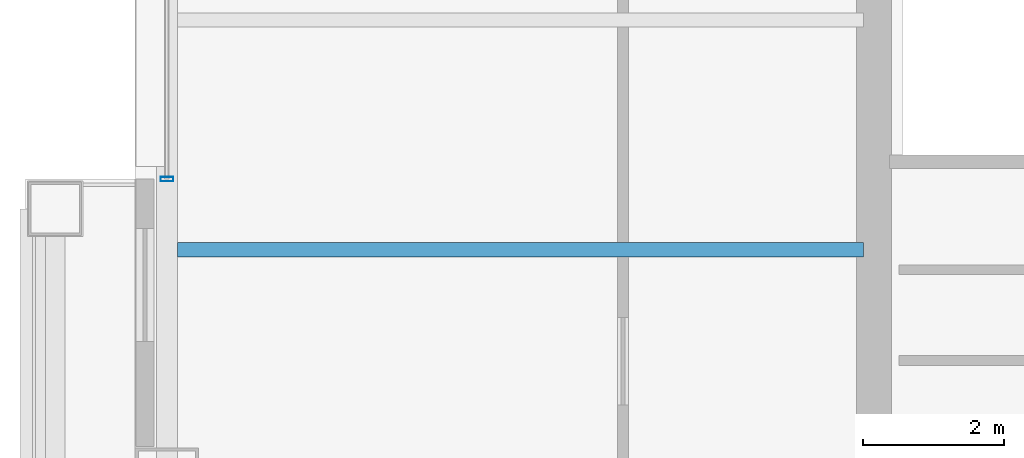
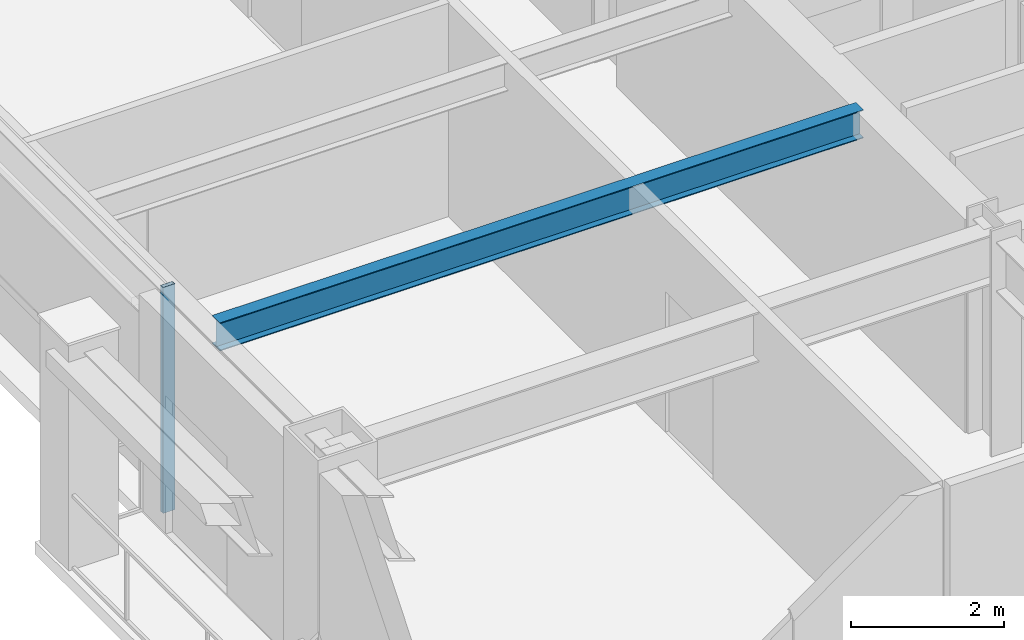
# One storey, part 7 of 30: 1 beam, 1 member, 1 element without a shape of its own.
"""IFC4 building model written with IfcOpenShell, lengths in metres."""

import ifcopenshell
import ifcopenshell.guid

model = None  # the IFC model being written
_history = None  # IfcOwnerHistory: only IFC2X3 demands one
_inside = {}  # id of a spatial element -> (the spatial element, [elements in it])
_under = {}  # id of a project, library or spatial element -> (it, [spatial elements below it])
_declared = {}  # id of a project -> (the project, [libraries it declares])
_typed = {}  # id of a type object -> (the type object, [elements of that type])
_made_of = {}  # id of a material, layer set ... -> (it, [elements and type objects made of it])


def new_model(schema):
    """Start an empty IFC model of exactly this schema.

    Asked for "IFC4X3", IfcOpenShell would pick the latest addendum, in which some entities
    have other attributes; the version numbers below select the first issue.
    IFC2X3 requires an IfcOwnerHistory on every rooted entity: one is made here for all.
    """
    global model, _history
    if schema == "IFC4X3":
        model = ifcopenshell.file(schema_version=(4, 3, 0, 0))
    else:
        model = ifcopenshell.file(schema=schema)
    _inside.clear()
    _under.clear()
    _declared.clear()
    _typed.clear()
    _made_of.clear()
    _history = None
    if model.schema == "IFC2X3":
        org = make("IfcOrganization", Name="unknown")
        user = make(
            "IfcPersonAndOrganization",
            ThePerson=make("IfcPerson", FamilyName="unknown"),
            TheOrganization=org,
        )
        app = make(
            "IfcApplication",
            ApplicationDeveloper=org,
            Version="unknown",
            ApplicationFullName="unknown",
            ApplicationIdentifier="unknown",
        )
        _history = make(
            "IfcOwnerHistory",
            OwningUser=user,
            OwningApplication=app,
            ChangeAction="ADDED",
            CreationDate=0,
        )
    return model


def make(cls, **values):
    """One entity of the class cls with the attributes given. An attribute that is None is left unset."""
    return model.create_entity(
        cls, **{name: value for name, value in values.items() if value is not None}
    )


def rooted(cls, **values):
    """An entity with a GlobalId (a new one), such as an element, a storey or a relation."""
    return make(cls, GlobalId=ifcopenshell.guid.new(), OwnerHistory=_history, **values)


def si_unit(unit_type, name, prefix=None):
    """IfcSIUnit, for example si_unit("LENGTHUNIT", "METRE", prefix="MILLI")."""
    return make("IfcSIUnit", UnitType=unit_type, Prefix=prefix, Name=name)


def assignment(units):
    """IfcUnitAssignment: the units of a project."""
    return None if units is None else make("IfcUnitAssignment", Units=units)


def point(xyz):
    """IfcCartesianPoint."""
    return None if xyz is None else make("IfcCartesianPoint", Coordinates=xyz)


def direction(xyz):
    """IfcDirection."""
    return None if xyz is None else make("IfcDirection", DirectionRatios=xyz)


def frame(location, z_axis=None, x_axis=None):
    """IfcAxis2Placement3D, a coordinate frame: its origin and axes. An axis left out is left unset."""
    return make(
        "IfcAxis2Placement3D",
        Location=point(location),
        Axis=direction(z_axis),
        RefDirection=direction(x_axis),
    )


def frame_2d(location, x_axis=None):
    """IfcAxis2Placement2D, a coordinate frame in the plane: its origin and x axis."""
    return make(
        "IfcAxis2Placement2D", Location=point(location), RefDirection=direction(x_axis)
    )


def origin():
    """The frame at (0, 0, 0) with its axes left unset."""
    return frame((0.0, 0.0, 0.0))


def origin_2d():
    """The frame at (0, 0) in the plane with its x axis left unset."""
    return frame_2d((0.0, 0.0))


def place(relative_to, where):
    """IfcLocalPlacement: puts the frame where relative to a parent placement (None: the world)."""
    return make(
        "IfcLocalPlacement", PlacementRelTo=relative_to, RelativePlacement=where
    )


def context(
    kind, dimensions, precision=None, world=None, true_north=None, identifier=None
):
    """IfcGeometricRepresentationContext, for example the 3D "Model" context."""
    return make(
        "IfcGeometricRepresentationContext",
        ContextIdentifier=identifier,
        ContextType=kind,
        CoordinateSpaceDimension=dimensions,
        Precision=precision,
        WorldCoordinateSystem=world,
        TrueNorth=true_north,
    )


def subcontext(parent, identifier, kind, view, scale=None):
    """IfcGeometricRepresentationSubContext, for example "Body" below "Model"."""
    return make(
        "IfcGeometricRepresentationSubContext",
        ContextIdentifier=identifier,
        ContextType=kind,
        ParentContext=parent,
        TargetScale=scale,
        TargetView=view,
    )


def project(units=None, contexts=None):
    """IfcProject with its units and contexts."""
    return rooted(
        "IfcProject",
        Name="project",
        RepresentationContexts=contexts,
        UnitsInContext=assignment(units),
    )


def spatial(cls, under=None, at=None, **own):
    """A site, building, storey or space (cls), placed at a placement, below another one or the project."""
    s = rooted(cls, ObjectPlacement=at, **own)
    if under is not None:
        _under.setdefault(under.id(), (under, []))[1].append(s)
    return s


def profile(cls, at=None, kind="AREA", **sizes):
    """A parametric profile (cls). Its sizes go by their IFC names, for example OverallWidth=200.0."""
    return make(cls, ProfileType=kind, Position=at, **sizes)


def hollow_rectangle(**sizes):
    """IfcRectangleHollowProfileDef."""
    return profile("IfcRectangleHollowProfileDef", **sizes)


def i_section(**sizes):
    """IfcIShapeProfileDef."""
    return profile("IfcIShapeProfileDef", **sizes)


def extrude(swept, where, along, depth):
    """IfcExtrudedAreaSolid: the profile swept, set in the frame where, extruded along a direction by depth."""
    return make(
        "IfcExtrudedAreaSolid",
        SweptArea=swept,
        Position=where,
        ExtrudedDirection=direction(along),
        Depth=depth,
    )


def shape(context_of_items, identifier, shape_type, items):
    """IfcShapeRepresentation: the items that make up one representation, for example the "Body"."""
    return make(
        "IfcShapeRepresentation",
        ContextOfItems=context_of_items,
        RepresentationIdentifier=identifier,
        RepresentationType=shape_type,
        Items=items,
    )


def material(Name=None, Category=None):
    """IfcMaterial."""
    return make("IfcMaterial", Name=Name, Category=Category)


def layer(
    of_material, thickness, ventilated=None, Name=None, Category=None, Priority=None
):
    """IfcMaterialLayer: one layer of a wall or slab, of a material (None: an air gap)."""
    return make(
        "IfcMaterialLayer",
        Material=of_material,
        LayerThickness=thickness,
        IsVentilated=ventilated,
        Name=Name,
        Category=Category,
        Priority=Priority,
    )


def layer_set(layers, Name=None):
    """IfcMaterialLayerSet."""
    return make("IfcMaterialLayerSet", MaterialLayers=layers, LayerSetName=Name)


def material_profile(
    of_material, cross_section, Name=None, Category=None, Priority=None
):
    """IfcMaterialProfile: a cross section and its material."""
    return make(
        "IfcMaterialProfile",
        Name=Name,
        Material=of_material,
        Profile=cross_section,
        Priority=Priority,
        Category=Category,
    )


def profile_set(profiles, Name=None, composite=None):
    """IfcMaterialProfileSet."""
    return make(
        "IfcMaterialProfileSet",
        Name=Name,
        MaterialProfiles=profiles,
        CompositeProfile=composite,
    )


def made_of(thing, what):
    """Note that an element or type object is made of a material, layer set ...; save() writes the relation."""
    if what is not None:
        _made_of.setdefault(what.id(), (what, []))[1].append(thing)
    return thing


def type_object(cls, material=None, **own):
    """A type object (cls), such as IfcWallType, which elements share."""
    return made_of(rooted(cls, **own), material)


def element(
    cls,
    number,
    at=None,
    inside=None,
    cuts=None,
    type_object=None,
    material=None,
    context=None,
    identifier="Body",
    shape_type=None,
    held_by="IfcProductDefinitionShape",
    body=None,
    shapes=None,
    **own,
):
    """One element of the class cls, such as IfcWall. Its Tag is "e" and its number.

    at: its placement. inside: the storey or other place that contains it. cuts: it is an
    opening in that element (IfcRelVoidsElement). A single representation is given by context,
    identifier, shape_type and body (its items); several are given by shapes. held_by: the class
    of the entity that holds the representations. save() writes the other relations.
    """
    e = rooted(cls, Tag="e%d" % number, ObjectPlacement=at, **own)
    if body is not None:
        shapes = [shape(context, identifier, shape_type, body)]
    if shapes is not None:
        e.Representation = make(held_by, Representations=shapes)
    if inside is not None:
        _inside.setdefault(inside.id(), (inside, []))[1].append(e)
    if cuts is not None:
        rooted(
            "IfcRelVoidsElement", RelatingBuildingElement=cuts, RelatedOpeningElement=e
        )
    if type_object is not None:
        _typed.setdefault(type_object.id(), (type_object, []))[1].append(e)
    return made_of(e, material)


def aggregate(whole, parts):
    """IfcRelAggregates: a whole, such as a stair, and the parts it consists of."""
    return rooted("IfcRelAggregates", RelatingObject=whole, RelatedObjects=parts)


def save(model, path):
    """Write the relations noted so far, then the file.

    IfcRelAggregates (storeys below a building ...), IfcRelContainedInSpatialStructure (elements
    in a storey), IfcRelDefinesByType, IfcRelAssociatesMaterial and IfcRelDeclares: one each for
    every whole, place, type object, material and project.
    """
    for whole, parts in _under.values():
        aggregate(whole, parts)
    for where, things in _inside.values():
        rooted(
            "IfcRelContainedInSpatialStructure",
            RelatedElements=things,
            RelatingStructure=where,
        )
    for kind, things in _typed.values():
        rooted("IfcRelDefinesByType", RelatedObjects=things, RelatingType=kind)
    for what, things in _made_of.values():
        rooted("IfcRelAssociatesMaterial", RelatedObjects=things, RelatingMaterial=what)
    for by, libraries in _declared.values():
        rooted("IfcRelDeclares", RelatingContext=by, RelatedDefinitions=libraries)
    model.write(path)


model = new_model("IFC4")

# Units and contexts
model_context = context("Model", 3, precision=1e-05, world=origin(), true_north=direction((0.0, 1.0)))
body_context = subcontext(model_context, "Body", "Model", "MODEL_VIEW")
ifc_project = project(units=[si_unit("LENGTHUNIT", "METRE"), si_unit("AREAUNIT", "SQUARE_METRE"), si_unit("VOLUMEUNIT", "CUBIC_METRE"), si_unit("PLANEANGLEUNIT", "RADIAN"), si_unit("MASSUNIT", "GRAM", prefix="KILO")], contexts=[model_context])

# Site, building, storey
site_placement = place(None, origin())
site = spatial("IfcSite", under=ifc_project, at=site_placement, CompositionType="ELEMENT")
building_placement = place(site_placement, origin())
building = spatial("IfcBuilding", under=site, at=building_placement, Name="Brelmoor Portico Tower", CompositionType="ELEMENT")
storey_placement = place(building_placement, frame((0.0, 0.0, 74.39990234375)))
storey = spatial("IfcBuildingStorey", under=building, at=storey_placement, Name="L19", CompositionType="ELEMENT", Elevation=74.39990234375)

# Beam
ifc_material_1 = material(Name="Steel Q355B", Category="steel")
ifc_material_profile_1 = material_profile(ifc_material_1, i_section(OverallWidth=0.199951171875, OverallDepth=0.449951171875, WebThickness=0.009033203125, FlangeThickness=0.013916015625, at=origin_2d()), Name="HN 450x200x9x14")
ifc_profile_set_1 = profile_set([ifc_material_profile_1], Name="Steel Q355B")
beam_type = type_object("IfcBeamType", Name="BM-JS-450", PredefinedType="JOIST", material=ifc_profile_set_1)
beam_placement = place(storey_placement, frame((-24.39990234375, -6.5, 3.175048828125), z_axis=(1.0, 0.0, 0.0), x_axis=(0.0, 1.0, 0.0)))
element("IfcBeam", 1, at=beam_placement, inside=storey, type_object=beam_type, Name="L19 Secondary Wing Joist JS-W05", PredefinedType="JOIST", context=body_context, shape_type="SweptSolid", body=[
    extrude(i_section(OverallWidth=0.199951171875, OverallDepth=0.449951171875, WebThickness=0.009033203125, FlangeThickness=0.013916015625, at=origin_2d()), origin(), (0.0, 0.0, 1.0), 9.699951171875),
])

# Curtain wall, member
ifc_material_2 = material(Name="Anodised Aluminium Alloy 6063-T6", Category="aluminium")
ifc_layer = layer(ifc_material_2, 0.179931640625)
ifc_layer_set = layer_set([ifc_layer], Name="Anodised Aluminium Alloy 6063-T6")
curtain_wall_type = type_object("IfcCurtainWallType", Name="CW-TOWER-Z1", PredefinedType="NOTDEFINED", material=ifc_layer_set)
curtain_wall_placement = place(storey_placement, origin())
curtain_wall = element("IfcCurtainWall", 2, at=curtain_wall_placement, inside=storey, type_object=curtain_wall_type, Name="L19 Curtain Wall CW-L19-3R-1", PredefinedType="NOTDEFINED")
ifc_material_profile_2 = material_profile(ifc_material_2, hollow_rectangle(XDim=0.06494140625, YDim=0.179931640625, WallThickness=0.00390625, at=origin_2d()), Name="ALU MULLION 65x180")
ifc_profile_set_2 = profile_set([ifc_material_profile_2], Name="Anodised Aluminium Alloy 6063-T6")
member_type = type_object("IfcMemberType", Name="MB-CW-MULL-180", PredefinedType="MULLION", material=ifc_profile_set_2)
member_placement = place(storey_placement, frame((-24.550048828125, -5.5, -0.199951171875), z_axis=(0.0, 0.0, 1.0), x_axis=(0.0, 1.0, 0.0)))
member = element("IfcMember", 3, at=member_placement, type_object=member_type, Name="CW-L19-3R-1 Mullion 00", PredefinedType="MULLION", context=body_context, shape_type="SweptSolid", body=[
    extrude(hollow_rectangle(XDim=0.06494140625, YDim=0.179931640625, WallThickness=0.00390625, at=origin_2d()), origin(), (0.0, 0.0, 1.0), 3.60009765625),
])
aggregate(curtain_wall, [member])

save(model, "model.ifc")
